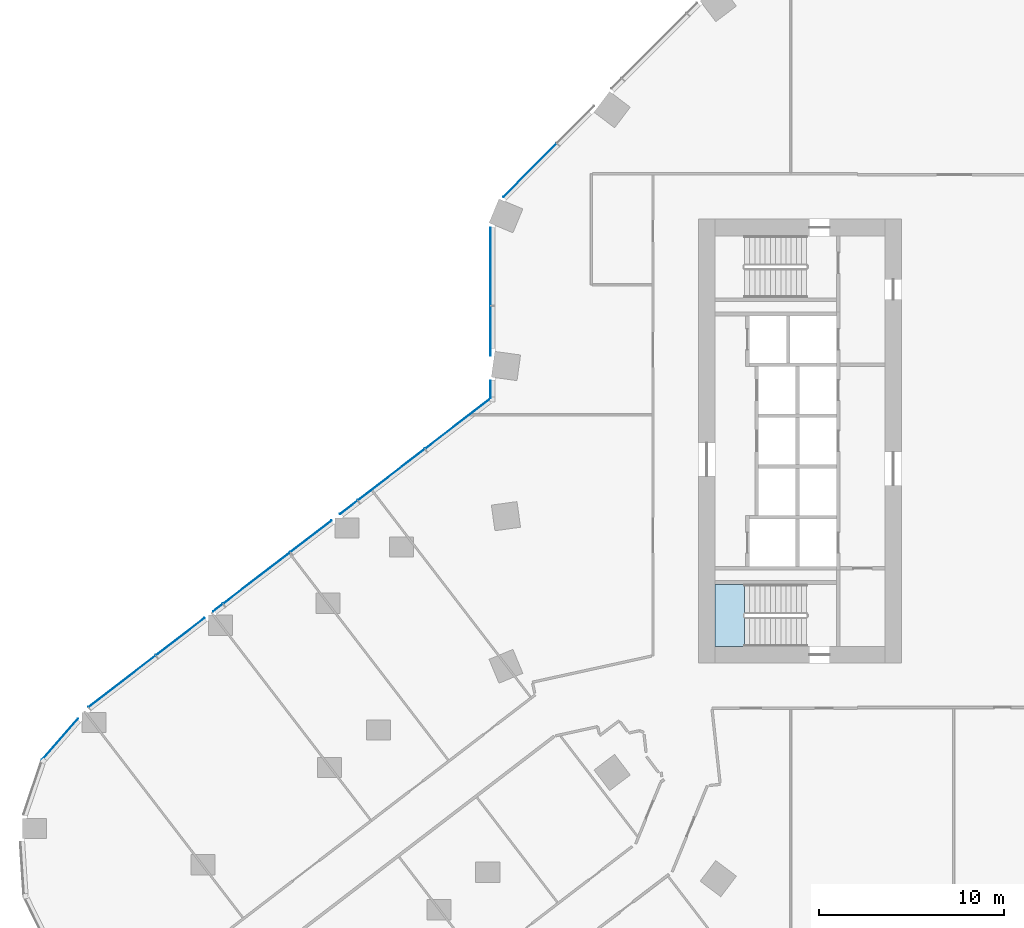
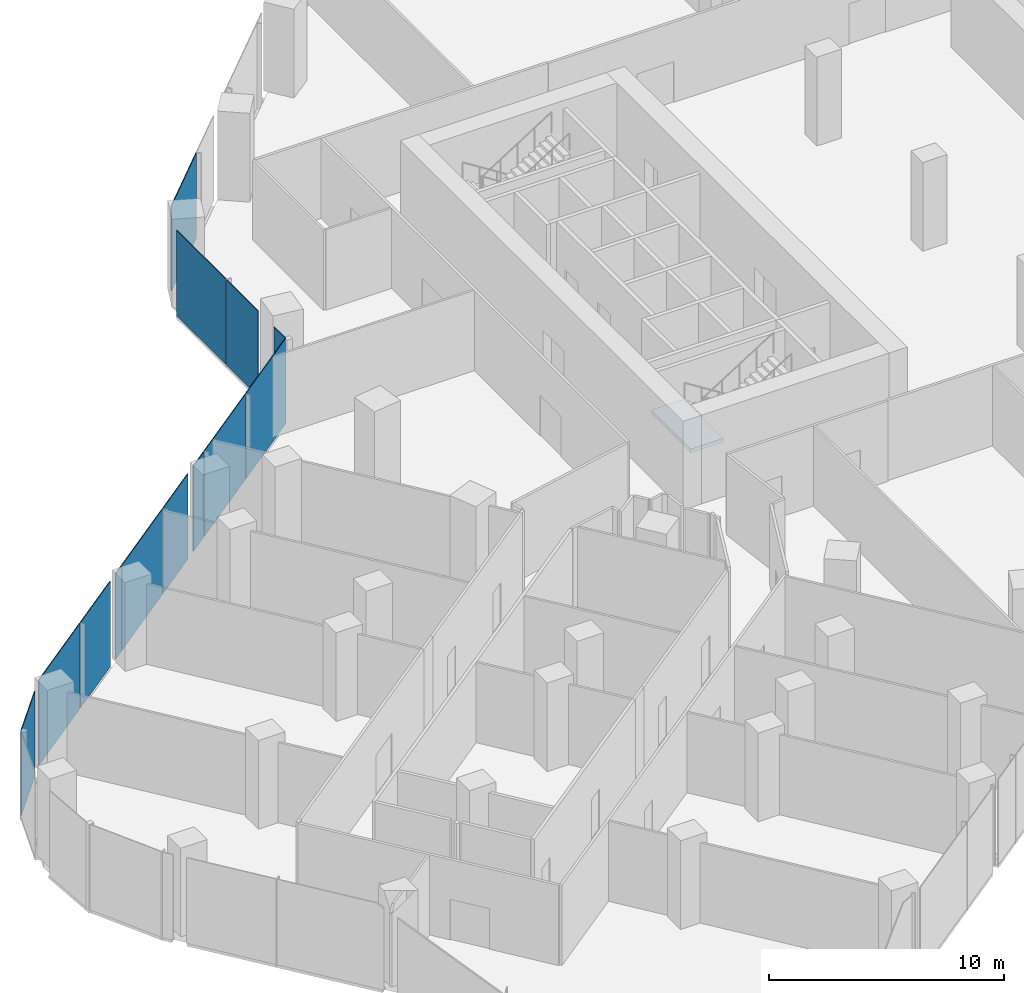
# One storey, part 17 of 30: 13 plates, 1 slab, 5 elements without a shape of their own.
"""IFC4 building model written with IfcOpenShell, lengths in metres."""

from ifc_helpers import new_model, si_unit, direction, frame, origin, origin_2d, place, context, subcontext, project, spatial, polyline, rectangle, outline, extrude, material, layer, layer_set, type_object, element, aggregate, save


model = new_model("IFC4")

# Units and contexts
model_context = context("Model", 3, precision=1e-05, world=origin(), true_north=direction((0.0, 1.0)))
body_context = subcontext(model_context, "Body", "Model", "MODEL_VIEW")
ifc_project = project(units=[si_unit("LENGTHUNIT", "METRE"), si_unit("AREAUNIT", "SQUARE_METRE"), si_unit("VOLUMEUNIT", "CUBIC_METRE"), si_unit("PLANEANGLEUNIT", "RADIAN"), si_unit("MASSUNIT", "GRAM", prefix="KILO")], contexts=[model_context])

# Site, building, storey
site_placement = place(None, origin())
site = spatial("IfcSite", under=ifc_project, at=site_placement, CompositionType="ELEMENT")
building_placement = place(site_placement, origin())
building = spatial("IfcBuilding", under=site, at=building_placement, Name="Orlundy Tower", CompositionType="ELEMENT")
storey_placement = place(building_placement, frame((0.0, 0.0, 20.5)))
storey = spatial("IfcBuildingStorey", under=building, at=storey_placement, Name="L03", CompositionType="ELEMENT", Elevation=20.5)

# Curtain wall, plate
ifc_material_1 = material(Name="Aluminium bronze anodised", Category="aluminium")
curtain_wall_type = type_object("IfcCurtainWallType", Name="CW2 wall", PredefinedType="NOTDEFINED", material=ifc_material_1)
curtain_wall_1_placement = place(storey_placement, origin())
curtain_wall_1 = element("IfcCurtainWall", 1, at=curtain_wall_1_placement, inside=storey, type_object=curtain_wall_type, Name="CW2 run 011", PredefinedType="NOTDEFINED")
ifc_material_2 = material(Name="Tinted glass", Category="glass")
ifc_layer_1 = layer(ifc_material_2, 0.0380859375)
ifc_layer_set_1 = layer_set([ifc_layer_1], Name="CW2 glass panel 38")
plate_type = type_object("IfcPlateType", Name="CW2 glass panel 38", PredefinedType="CURTAIN_PANEL", material=ifc_layer_set_1)
plate_1_placement = place(storey_placement, frame((-53.513916015625, -16.126220703125, -0.25), z_axis=(0.0, 0.0, 1.0), x_axis=(0.65932547196, 0.751857647447, 0.0)))
plate_1 = element("IfcPlate", 2, at=plate_1_placement, type_object=plate_type, Name="CW2 panel", PredefinedType="CURTAIN_PANEL", context=body_context, shape_type="SweptSolid", body=[
    extrude(rectangle(XDim=2.963623046875, YDim=0.0380859375, at=origin_2d()), origin(), (0.0, 0.0, 1.0), 4.429931640625),
])
aggregate(curtain_wall_1, [plate_1])

# Curtain wall, plates
curtain_wall_2_placement = place(storey_placement, origin())
curtain_wall_2 = element("IfcCurtainWall", 3, at=curtain_wall_2_placement, inside=storey, type_object=curtain_wall_type, Name="CW2 run 012", PredefinedType="NOTDEFINED")
plate_2_placement = place(storey_placement, frame((-50.17236328125, -12.997802734375, -0.25), z_axis=(0.0, 0.0, 1.0), x_axis=(0.793348488271, 0.608767752232, 0.0)))
plate_2 = element("IfcPlate", 4, at=plate_2_placement, type_object=plate_type, Name="CW2 panel", PredefinedType="CURTAIN_PANEL", context=body_context, shape_type="SweptSolid", body=[
    extrude(rectangle(XDim=4.5615234375, YDim=0.0380859375, at=origin_2d()), origin(), (0.0, 0.0, 1.0), 4.429931640625),
])
plate_3_placement = place(storey_placement, frame((-47.006591796875, -10.568603515625, -0.25), z_axis=(0.0, 0.0, 1.0), x_axis=(0.793348488271, 0.608767752232, 0.0)))
plate_3 = element("IfcPlate", 5, at=plate_3_placement, type_object=plate_type, Name="CW2 panel", PredefinedType="CURTAIN_PANEL", context=body_context, shape_type="SweptSolid", body=[
    extrude(rectangle(XDim=3.319091796875, YDim=0.0380859375, at=origin_2d()), origin(), (0.0, 0.0, 1.0), 4.429931640625),
])
plate_4_placement = place(storey_placement, frame((-44.975341796875, -9.010009765625, -0.25), z_axis=(0.0, 0.0, 1.0), x_axis=(0.793348488271, 0.608767752232, 0.0)))
plate_4 = element("IfcPlate", 6, at=plate_4_placement, type_object=plate_type, Name="CW2 panel", PredefinedType="CURTAIN_PANEL", context=body_context, shape_type="SweptSolid", body=[
    extrude(rectangle(XDim=0.637451171875, YDim=0.0380859375, at=origin_2d()), origin(), (0.0, 0.0, 1.0), 4.429931640625),
])
plate_5_placement = place(storey_placement, frame((-42.88232421875, -7.404052734375, -0.25), z_axis=(0.0, 0.0, 1.0), x_axis=(0.793348488271, 0.608767752232, 0.0)))
plate_5 = element("IfcPlate", 7, at=plate_5_placement, type_object=plate_type, Name="CW2 panel", PredefinedType="CURTAIN_PANEL", context=body_context, shape_type="SweptSolid", body=[
    extrude(rectangle(XDim=4.538818359375, YDim=0.0380859375, at=origin_2d()), origin(), (0.0, 0.0, 1.0), 4.429931640625),
])
plate_6_placement = place(storey_placement, frame((-39.941650390625, -5.1474609375, -0.25), z_axis=(0.0, 0.0, 1.0), x_axis=(0.793348488271, 0.608767752232, 0.0)))
plate_6 = element("IfcPlate", 8, at=plate_6_placement, type_object=plate_type, Name="CW2 panel", PredefinedType="CURTAIN_PANEL", context=body_context, shape_type="SweptSolid", body=[
    extrude(rectangle(XDim=2.774658203125, YDim=0.0380859375, at=origin_2d()), origin(), (0.0, 0.0, 1.0), 4.429931640625),
])
plate_7_placement = place(storey_placement, frame((-37.909912109375, -3.58837890625, -0.25), z_axis=(0.0, 0.0, 1.0), x_axis=(0.793348488271, 0.608767752232, 0.0)))
plate_7 = element("IfcPlate", 9, at=plate_7_placement, type_object=plate_type, Name="CW2 panel", PredefinedType="CURTAIN_PANEL", context=body_context, shape_type="SweptSolid", body=[
    extrude(rectangle(XDim=1.18115234375, YDim=0.0380859375, at=origin_2d()), origin(), (0.0, 0.0, 1.0), 4.429931640625),
])
plate_8_placement = place(storey_placement, frame((-35.601318359375, -1.81689453125, -0.25), z_axis=(0.0, 0.0, 1.0), x_axis=(0.793348488271, 0.608767752232, 0.0)))
plate_8 = element("IfcPlate", 10, at=plate_8_placement, type_object=plate_type, Name="CW2 panel", PredefinedType="CURTAIN_PANEL", context=body_context, shape_type="SweptSolid", body=[
    extrude(rectangle(XDim=4.538818359375, YDim=0.0380859375, at=origin_2d()), origin(), (0.0, 0.0, 1.0), 4.429931640625),
])
plate_9_placement = place(storey_placement, frame((-31.99609375, 0.949462890625, -0.25), z_axis=(0.0, 0.0, 1.0), x_axis=(0.793348488271, 0.608767752232, 0.0)))
plate_9 = element("IfcPlate", 11, at=plate_9_placement, type_object=plate_type, Name="CW2 panel", PredefinedType="CURTAIN_PANEL", context=body_context, shape_type="SweptSolid", body=[
    extrude(rectangle(XDim=4.449951171875, YDim=0.0380859375, at=origin_2d()), origin(), (0.0, 0.0, 1.0), 4.429931640625),
])
aggregate(curtain_wall_2, [plate_2, plate_3, plate_4, plate_5, plate_6, plate_7, plate_8, plate_9])

curtain_wall_3_placement = place(storey_placement, origin())
curtain_wall_3 = element("IfcCurtainWall", 12, at=curtain_wall_3_placement, inside=storey, type_object=curtain_wall_type, Name="CW2 run 013", PredefinedType="NOTDEFINED")
plate_10_placement = place(storey_placement, frame((-30.23095703125, 2.78466796875, -0.25), z_axis=(0.0, 0.0, 1.0), x_axis=(0.0, 1.0, 0.0)))
plate_10 = element("IfcPlate", 13, at=plate_10_placement, type_object=plate_type, Name="CW2 panel", PredefinedType="CURTAIN_PANEL", context=body_context, shape_type="SweptSolid", body=[
    extrude(rectangle(XDim=0.961181640625, YDim=0.0380859375, at=origin_2d()), origin(), (0.0, 0.0, 1.0), 4.429931640625),
])
plate_11_placement = place(storey_placement, frame((-30.23095703125, 5.951904296875, -0.25), z_axis=(0.0, 0.0, 1.0), x_axis=(0.0, 1.0, 0.0)))
plate_11 = element("IfcPlate", 14, at=plate_11_placement, type_object=plate_type, Name="CW2 panel", PredefinedType="CURTAIN_PANEL", context=body_context, shape_type="SweptSolid", body=[
    extrude(rectangle(XDim=2.662353515625, YDim=0.0380859375, at=origin_2d()), origin(), (0.0, 0.0, 1.0), 4.429931640625),
])
plate_12_placement = place(storey_placement, frame((-30.23095703125, 9.4404296875, -0.25), z_axis=(0.0, 0.0, 1.0), x_axis=(0.0, 1.0, 0.0)))
plate_12 = element("IfcPlate", 15, at=plate_12_placement, type_object=plate_type, Name="CW2 panel", PredefinedType="CURTAIN_PANEL", context=body_context, shape_type="SweptSolid", body=[
    extrude(rectangle(XDim=4.215087890625, YDim=0.0380859375, at=origin_2d()), origin(), (0.0, 0.0, 1.0), 4.429931640625),
])
aggregate(curtain_wall_3, [plate_10, plate_11, plate_12])

# Curtain wall, plate
curtain_wall_4_placement = place(storey_placement, origin())
curtain_wall_4 = element("IfcCurtainWall", 16, at=curtain_wall_4_placement, inside=storey, type_object=curtain_wall_type, Name="CW2 run 014", PredefinedType="NOTDEFINED")
plate_13_placement = place(storey_placement, frame((-28.10400390625, 14.648681640625, -0.25), z_axis=(0.0, 0.0, 1.0), x_axis=(0.707106781187, 0.707106781187, 0.0)))
plate_13 = element("IfcPlate", 17, at=plate_13_placement, type_object=plate_type, Name="CW2 panel", PredefinedType="CURTAIN_PANEL", context=body_context, shape_type="SweptSolid", body=[
    extrude(rectangle(XDim=4.066650390625, YDim=0.0380859375, at=origin_2d()), origin(), (0.0, 0.0, 1.0), 4.429931640625),
])
aggregate(curtain_wall_4, [plate_13])

# Stair, slab
ifc_material_3 = material(Name="Concrete C50/60", Category="concrete")
stair_type = type_object("IfcStairType", Name="Exit Stair 26 risers", PredefinedType="HALF_TURN_STAIR", material=ifc_material_3)
stair_placement = place(storey_placement, origin())
stair = element("IfcStair", 18, at=stair_placement, inside=storey, type_object=stair_type, Name="L03 Exit Stair ST-W2", PredefinedType="HALF_TURN_STAIR")
ifc_material_4 = material(Name="Concrete C50/60", Category="concrete")
ifc_layer_2 = layer(ifc_material_4, 0.199951171875)
ifc_layer_set_2 = layer_set([ifc_layer_2], Name="Exit Stair Landing")
slab_type = type_object("IfcSlabType", Name="Exit Stair Landing", PredefinedType="LANDING", material=ifc_layer_set_2)
slab_placement = place(storey_placement, frame((0.0, 0.0, 2.10009765625)))
slab = element("IfcSlab", 19, at=slab_placement, type_object=slab_type, Name="ST-W2 landing 1", PredefinedType="LANDING", context=body_context, shape_type="SweptSolid", body=[
    extrude(outline(polyline([(-16.5, -7.75), (-18.10009765625, -7.75), (-18.10009765625, -11.10009765625), (-16.5, -11.10009765625), (-16.5, -7.75)])), origin(), (0.0, 0.0, 1.0), 0.199951171875),
])
aggregate(stair, [slab])

save(model, "model.ifc")
